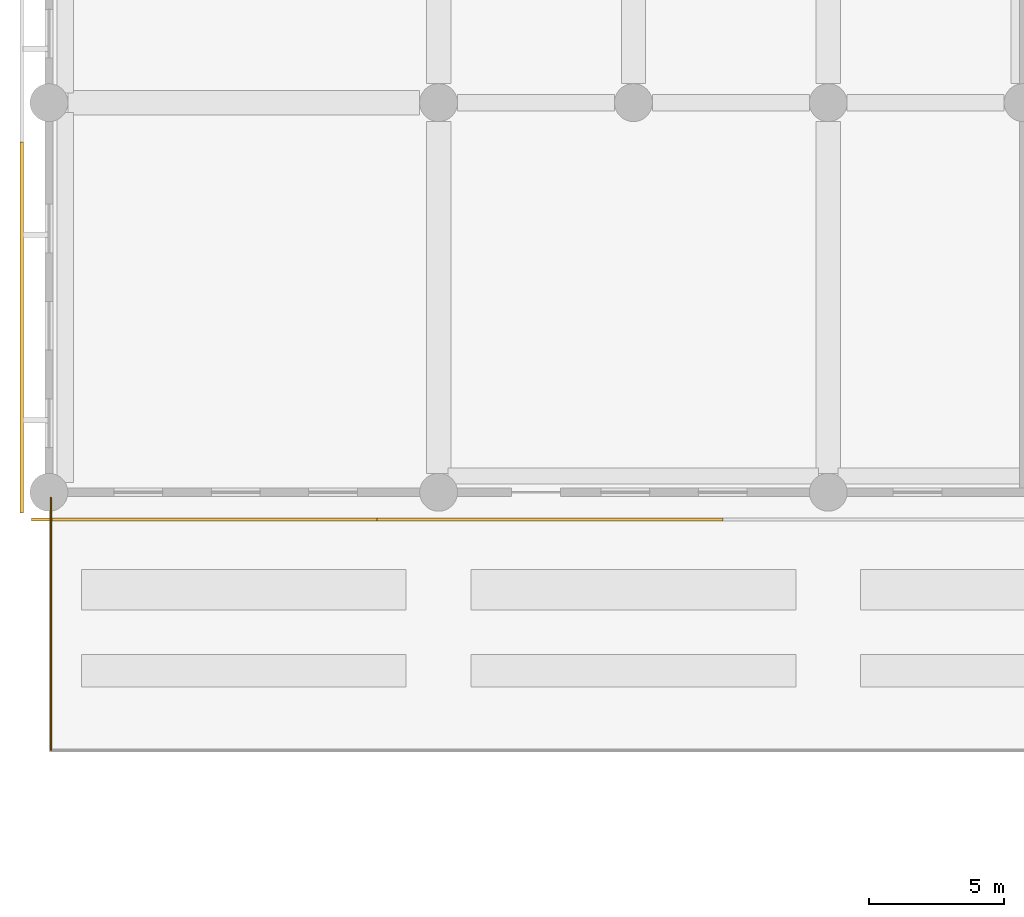
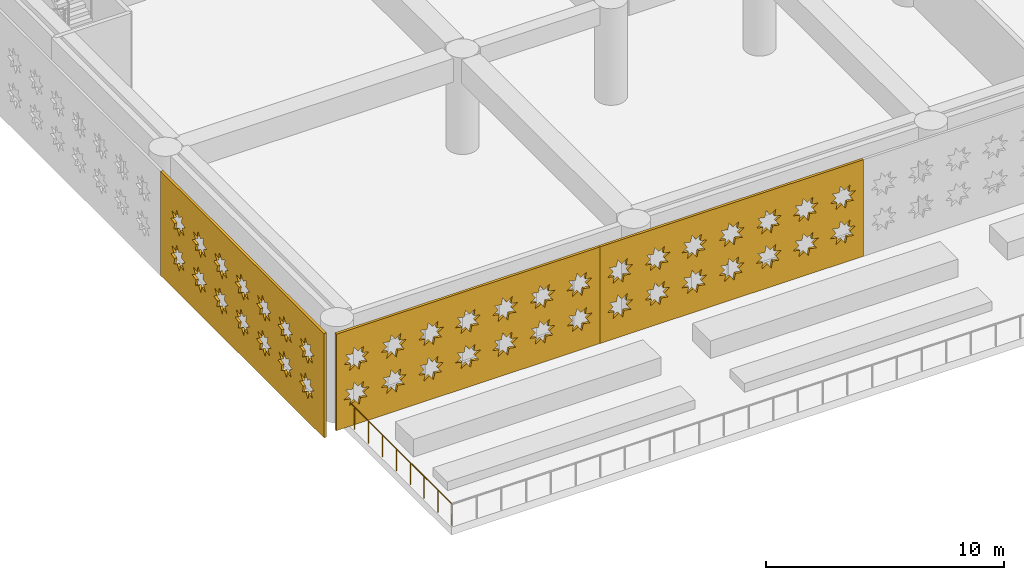
# One storey, part 11 of 24: 3 coverings, 1 railing.
"""IFC4 building model written with IfcOpenShell, lengths in metres."""

from ifc_helpers import new_model, si_unit, direction, frame, origin, origin_2d, place, context, subcontext, project, spatial, polyline, circle, outline, extrude, material, layer, layer_set, type_object, element, save


model = new_model("IFC4")

# Units and contexts
model_context = context("Model", 3, precision=1e-05, world=origin(), true_north=direction((0.0, 1.0)))
body_context = subcontext(model_context, "Body", "Model", "MODEL_VIEW")
ifc_project = project(units=[si_unit("LENGTHUNIT", "METRE"), si_unit("AREAUNIT", "SQUARE_METRE"), si_unit("VOLUMEUNIT", "CUBIC_METRE"), si_unit("PLANEANGLEUNIT", "RADIAN"), si_unit("MASSUNIT", "GRAM", prefix="KILO")], contexts=[model_context])

# Site, building, storey
site_placement = place(None, origin())
site = spatial("IfcSite", under=ifc_project, at=site_placement, CompositionType="ELEMENT")
building_placement = place(site_placement, origin())
building = spatial("IfcBuilding", under=site, at=building_placement, Name="Saffron Iwan Residences", CompositionType="ELEMENT")
storey_placement = place(building_placement, frame((0.0, 0.0, 21.60009765625)))
storey = spatial("IfcBuildingStorey", under=building, at=storey_placement, Name="L04", CompositionType="ELEMENT", Elevation=21.60009765625)

# Coverings
ifc_material_1 = material(Name="Terracotta screen, precast concrete C40/50", Category="masonry")
ifc_layer = layer(ifc_material_1, 0.1201171875)
ifc_layer_set = layer_set([ifc_layer], Name="Terracotta screen, precast concrete C40/50")
covering_type = type_object("IfcCoveringType", Name="PODIUM SCREEN GIRIH", PredefinedType="CLADDING", material=ifc_layer_set)
covering_1_placement = place(storey_placement, frame((-0.64990234375, 18.25, 0.0), z_axis=(0.0, -1.0, 0.0), x_axis=(1.0, 0.0, 0.0)))
element("IfcCovering", 1, at=covering_1_placement, inside=storey, type_object=covering_type, Name="SCREEN girih terracotta L04 F0.0", PredefinedType="CLADDING", context=body_context, shape_type="SweptSolid", body=[
    extrude(outline(polyline([(0.0, 0.0), (12.777587890625, 0.0), (12.777587890625, 4.949951171875), (0.0, 4.949951171875), (0.0, 0.0)]), holes=[polyline([(1.5966796875, 1.696044921875), (1.271484375, 1.763916015625), (1.333251953125, 2.090576171875), (1.05517578125, 1.908447265625), (0.867919921875, 2.18310546875), (0.7998046875, 1.857666015625), (0.47314453125, 1.91943359375), (0.6552734375, 1.641357421875), (0.380615234375, 1.4541015625), (0.7060546875, 1.385986328125), (0.644287109375, 1.0595703125), (0.92236328125, 1.241455078125), (1.109619140625, 0.966796875), (1.177490234375, 1.292236328125), (1.50439453125, 1.23046875), (1.322265625, 1.5087890625), (1.5966796875, 1.696044921875)]), polyline([(1.5966796875, 3.49609375), (1.271484375, 3.56396484375), (1.333251953125, 3.890380859375), (1.05517578125, 3.70849609375), (0.867919921875, 3.983154296875), (0.7998046875, 3.65771484375), (0.47314453125, 3.719482421875), (0.6552734375, 3.44140625), (0.380615234375, 3.25390625), (0.7060546875, 3.18603515625), (0.644287109375, 2.859619140625), (0.92236328125, 3.04150390625), (1.109619140625, 2.766845703125), (1.177490234375, 3.09228515625), (1.50439453125, 3.030517578125), (1.322265625, 3.30859375), (1.5966796875, 3.49609375)]), polyline([(3.396728515625, 1.696044921875), (3.0712890625, 1.763916015625), (3.13330078125, 2.090576171875), (2.85498046875, 1.908447265625), (2.667724609375, 2.18310546875), (2.599853515625, 1.857666015625), (2.273193359375, 1.91943359375), (2.455322265625, 1.641357421875), (2.1806640625, 1.4541015625), (2.506103515625, 1.385986328125), (2.4443359375, 1.0595703125), (2.722412109375, 1.241455078125), (2.90966796875, 0.966796875), (2.9775390625, 1.292236328125), (3.30419921875, 1.23046875), (3.122314453125, 1.5087890625), (3.396728515625, 1.696044921875)]), polyline([(3.396728515625, 3.49609375), (3.0712890625, 3.56396484375), (3.13330078125, 3.890380859375), (2.85498046875, 3.70849609375), (2.667724609375, 3.983154296875), (2.599853515625, 3.65771484375), (2.273193359375, 3.719482421875), (2.455322265625, 3.44140625), (2.1806640625, 3.25390625), (2.506103515625, 3.18603515625), (2.4443359375, 2.859619140625), (2.722412109375, 3.04150390625), (2.90966796875, 2.766845703125), (2.9775390625, 3.09228515625), (3.30419921875, 3.030517578125), (3.122314453125, 3.30859375), (3.396728515625, 3.49609375)]), polyline([(5.19677734375, 1.696044921875), (4.871337890625, 1.763916015625), (4.93310546875, 2.090576171875), (4.655029296875, 1.908447265625), (4.4677734375, 2.18310546875), (4.39990234375, 1.857666015625), (4.0732421875, 1.91943359375), (4.25537109375, 1.641357421875), (3.980712890625, 1.4541015625), (4.30615234375, 1.385986328125), (4.244384765625, 1.0595703125), (4.5224609375, 1.241455078125), (4.709716796875, 0.966796875), (4.777587890625, 1.292236328125), (5.104248046875, 1.23046875), (4.922119140625, 1.5087890625), (5.19677734375, 1.696044921875)]), polyline([(5.19677734375, 3.49609375), (4.871337890625, 3.56396484375), (4.93310546875, 3.890380859375), (4.655029296875, 3.70849609375), (4.4677734375, 3.983154296875), (4.39990234375, 3.65771484375), (4.0732421875, 3.719482421875), (4.25537109375, 3.44140625), (3.980712890625, 3.25390625), (4.30615234375, 3.18603515625), (4.244384765625, 2.859619140625), (4.5224609375, 3.04150390625), (4.709716796875, 2.766845703125), (4.777587890625, 3.09228515625), (5.104248046875, 3.030517578125), (4.922119140625, 3.30859375), (5.19677734375, 3.49609375)]), polyline([(6.996826171875, 1.696044921875), (6.67138671875, 1.763916015625), (6.733154296875, 2.090576171875), (6.455078125, 1.908447265625), (6.267822265625, 2.18310546875), (6.199951171875, 1.857666015625), (5.873291015625, 1.91943359375), (6.055419921875, 1.641357421875), (5.78076171875, 1.4541015625), (6.106201171875, 1.385986328125), (6.044189453125, 1.0595703125), (6.322509765625, 1.241455078125), (6.509765625, 0.966796875), (6.57763671875, 1.292236328125), (6.904296875, 1.23046875), (6.72216796875, 1.5087890625), (6.996826171875, 1.696044921875)]), polyline([(6.996826171875, 3.49609375), (6.67138671875, 3.56396484375), (6.733154296875, 3.890380859375), (6.455078125, 3.70849609375), (6.267822265625, 3.983154296875), (6.199951171875, 3.65771484375), (5.873291015625, 3.719482421875), (6.055419921875, 3.44140625), (5.78076171875, 3.25390625), (6.106201171875, 3.18603515625), (6.044189453125, 2.859619140625), (6.322509765625, 3.04150390625), (6.509765625, 2.766845703125), (6.57763671875, 3.09228515625), (6.904296875, 3.030517578125), (6.72216796875, 3.30859375), (6.996826171875, 3.49609375)]), polyline([(8.796875, 1.696044921875), (8.471435546875, 1.763916015625), (8.533203125, 2.090576171875), (8.255126953125, 1.908447265625), (8.06787109375, 2.18310546875), (8.0, 1.857666015625), (7.673095703125, 1.91943359375), (7.855224609375, 1.641357421875), (7.580810546875, 1.4541015625), (7.906005859375, 1.385986328125), (7.84423828125, 1.0595703125), (8.122314453125, 1.241455078125), (8.309814453125, 0.966796875), (8.377685546875, 1.292236328125), (8.704345703125, 1.23046875), (8.522216796875, 1.5087890625), (8.796875, 1.696044921875)]), polyline([(8.796875, 3.49609375), (8.471435546875, 3.56396484375), (8.533203125, 3.890380859375), (8.255126953125, 3.70849609375), (8.06787109375, 3.983154296875), (8.0, 3.65771484375), (7.673095703125, 3.719482421875), (7.855224609375, 3.44140625), (7.580810546875, 3.25390625), (7.906005859375, 3.18603515625), (7.84423828125, 2.859619140625), (8.122314453125, 3.04150390625), (8.309814453125, 2.766845703125), (8.377685546875, 3.09228515625), (8.704345703125, 3.030517578125), (8.522216796875, 3.30859375), (8.796875, 3.49609375)]), polyline([(10.5966796875, 1.696044921875), (10.271484375, 1.763916015625), (10.333251953125, 2.090576171875), (10.05517578125, 1.908447265625), (9.867919921875, 2.18310546875), (9.7998046875, 1.857666015625), (9.47314453125, 1.91943359375), (9.6552734375, 1.641357421875), (9.380615234375, 1.4541015625), (9.7060546875, 1.385986328125), (9.644287109375, 1.0595703125), (9.92236328125, 1.241455078125), (10.109619140625, 0.966796875), (10.177490234375, 1.292236328125), (10.50439453125, 1.23046875), (10.322265625, 1.5087890625), (10.5966796875, 1.696044921875)]), polyline([(10.5966796875, 3.49609375), (10.271484375, 3.56396484375), (10.333251953125, 3.890380859375), (10.05517578125, 3.70849609375), (9.867919921875, 3.983154296875), (9.7998046875, 3.65771484375), (9.47314453125, 3.719482421875), (9.6552734375, 3.44140625), (9.380615234375, 3.25390625), (9.7060546875, 3.18603515625), (9.644287109375, 2.859619140625), (9.92236328125, 3.04150390625), (10.109619140625, 2.766845703125), (10.177490234375, 3.09228515625), (10.50439453125, 3.030517578125), (10.322265625, 3.30859375), (10.5966796875, 3.49609375)]), polyline([(12.396728515625, 1.696044921875), (12.0712890625, 1.763916015625), (12.13330078125, 2.090576171875), (11.85498046875, 1.908447265625), (11.667724609375, 2.18310546875), (11.599853515625, 1.857666015625), (11.273193359375, 1.91943359375), (11.455322265625, 1.641357421875), (11.1806640625, 1.4541015625), (11.506103515625, 1.385986328125), (11.4443359375, 1.0595703125), (11.722412109375, 1.241455078125), (11.90966796875, 0.966796875), (11.9775390625, 1.292236328125), (12.30419921875, 1.23046875), (12.122314453125, 1.5087890625), (12.396728515625, 1.696044921875)]), polyline([(12.396728515625, 3.49609375), (12.0712890625, 3.56396484375), (12.13330078125, 3.890380859375), (11.85498046875, 3.70849609375), (11.667724609375, 3.983154296875), (11.599853515625, 3.65771484375), (11.273193359375, 3.719482421875), (11.455322265625, 3.44140625), (11.1806640625, 3.25390625), (11.506103515625, 3.18603515625), (11.4443359375, 2.859619140625), (11.722412109375, 3.04150390625), (11.90966796875, 2.766845703125), (11.9775390625, 3.09228515625), (12.30419921875, 3.030517578125), (12.122314453125, 3.30859375), (12.396728515625, 3.49609375)])]), origin(), (0.0, 0.0, 1.0), 0.1201171875),
])
covering_2_placement = place(storey_placement, frame((12.12744140625, 18.25, 0.0), z_axis=(0.0, -1.0, 0.0), x_axis=(1.0, 0.0, 0.0)))
element("IfcCovering", 2, at=covering_2_placement, inside=storey, type_object=covering_type, Name="SCREEN girih terracotta L04 F0.1", PredefinedType="CLADDING", context=body_context, shape_type="SweptSolid", body=[
    extrude(outline(polyline([(0.0, 0.0), (12.777587890625, 0.0), (12.777587890625, 4.949951171875), (0.0, 4.949951171875), (0.0, 0.0)]), holes=[polyline([(1.5966796875, 1.696044921875), (1.271484375, 1.763916015625), (1.333251953125, 2.090576171875), (1.05517578125, 1.908447265625), (0.867919921875, 2.18310546875), (0.7998046875, 1.857666015625), (0.47314453125, 1.91943359375), (0.6552734375, 1.641357421875), (0.380615234375, 1.4541015625), (0.7060546875, 1.385986328125), (0.644287109375, 1.0595703125), (0.92236328125, 1.241455078125), (1.109619140625, 0.966796875), (1.177490234375, 1.292236328125), (1.50439453125, 1.23046875), (1.322265625, 1.5087890625), (1.5966796875, 1.696044921875)]), polyline([(1.5966796875, 3.49609375), (1.271484375, 3.56396484375), (1.333251953125, 3.890380859375), (1.05517578125, 3.70849609375), (0.867919921875, 3.983154296875), (0.7998046875, 3.65771484375), (0.47314453125, 3.719482421875), (0.6552734375, 3.44140625), (0.380615234375, 3.25390625), (0.7060546875, 3.18603515625), (0.644287109375, 2.859619140625), (0.92236328125, 3.04150390625), (1.109619140625, 2.766845703125), (1.177490234375, 3.09228515625), (1.50439453125, 3.030517578125), (1.322265625, 3.30859375), (1.5966796875, 3.49609375)]), polyline([(3.396728515625, 1.696044921875), (3.0712890625, 1.763916015625), (3.13330078125, 2.090576171875), (2.85498046875, 1.908447265625), (2.667724609375, 2.18310546875), (2.599853515625, 1.857666015625), (2.273193359375, 1.91943359375), (2.455322265625, 1.641357421875), (2.1806640625, 1.4541015625), (2.506103515625, 1.385986328125), (2.4443359375, 1.0595703125), (2.722412109375, 1.241455078125), (2.90966796875, 0.966796875), (2.9775390625, 1.292236328125), (3.30419921875, 1.23046875), (3.122314453125, 1.5087890625), (3.396728515625, 1.696044921875)]), polyline([(3.396728515625, 3.49609375), (3.0712890625, 3.56396484375), (3.13330078125, 3.890380859375), (2.85498046875, 3.70849609375), (2.667724609375, 3.983154296875), (2.599853515625, 3.65771484375), (2.273193359375, 3.719482421875), (2.455322265625, 3.44140625), (2.1806640625, 3.25390625), (2.506103515625, 3.18603515625), (2.4443359375, 2.859619140625), (2.722412109375, 3.04150390625), (2.90966796875, 2.766845703125), (2.9775390625, 3.09228515625), (3.30419921875, 3.030517578125), (3.122314453125, 3.30859375), (3.396728515625, 3.49609375)]), polyline([(5.19677734375, 1.696044921875), (4.871337890625, 1.763916015625), (4.93310546875, 2.090576171875), (4.655029296875, 1.908447265625), (4.4677734375, 2.18310546875), (4.39990234375, 1.857666015625), (4.0732421875, 1.91943359375), (4.25537109375, 1.641357421875), (3.980712890625, 1.4541015625), (4.30615234375, 1.385986328125), (4.244384765625, 1.0595703125), (4.5224609375, 1.241455078125), (4.709716796875, 0.966796875), (4.777587890625, 1.292236328125), (5.104248046875, 1.23046875), (4.922119140625, 1.5087890625), (5.19677734375, 1.696044921875)]), polyline([(5.19677734375, 3.49609375), (4.871337890625, 3.56396484375), (4.93310546875, 3.890380859375), (4.655029296875, 3.70849609375), (4.4677734375, 3.983154296875), (4.39990234375, 3.65771484375), (4.0732421875, 3.719482421875), (4.25537109375, 3.44140625), (3.980712890625, 3.25390625), (4.30615234375, 3.18603515625), (4.244384765625, 2.859619140625), (4.5224609375, 3.04150390625), (4.709716796875, 2.766845703125), (4.777587890625, 3.09228515625), (5.104248046875, 3.030517578125), (4.922119140625, 3.30859375), (5.19677734375, 3.49609375)]), polyline([(6.996826171875, 1.696044921875), (6.67138671875, 1.763916015625), (6.733154296875, 2.090576171875), (6.455078125, 1.908447265625), (6.267822265625, 2.18310546875), (6.199951171875, 1.857666015625), (5.873291015625, 1.91943359375), (6.055419921875, 1.641357421875), (5.78076171875, 1.4541015625), (6.106201171875, 1.385986328125), (6.044189453125, 1.0595703125), (6.322509765625, 1.241455078125), (6.509765625, 0.966796875), (6.57763671875, 1.292236328125), (6.904296875, 1.23046875), (6.72216796875, 1.5087890625), (6.996826171875, 1.696044921875)]), polyline([(6.996826171875, 3.49609375), (6.67138671875, 3.56396484375), (6.733154296875, 3.890380859375), (6.455078125, 3.70849609375), (6.267822265625, 3.983154296875), (6.199951171875, 3.65771484375), (5.873291015625, 3.719482421875), (6.055419921875, 3.44140625), (5.78076171875, 3.25390625), (6.106201171875, 3.18603515625), (6.044189453125, 2.859619140625), (6.322509765625, 3.04150390625), (6.509765625, 2.766845703125), (6.57763671875, 3.09228515625), (6.904296875, 3.030517578125), (6.72216796875, 3.30859375), (6.996826171875, 3.49609375)]), polyline([(8.796875, 1.696044921875), (8.471435546875, 1.763916015625), (8.533203125, 2.090576171875), (8.255126953125, 1.908447265625), (8.06787109375, 2.18310546875), (8.0, 1.857666015625), (7.673095703125, 1.91943359375), (7.855224609375, 1.641357421875), (7.580810546875, 1.4541015625), (7.906005859375, 1.385986328125), (7.84423828125, 1.0595703125), (8.122314453125, 1.241455078125), (8.309814453125, 0.966796875), (8.377685546875, 1.292236328125), (8.704345703125, 1.23046875), (8.522216796875, 1.5087890625), (8.796875, 1.696044921875)]), polyline([(8.796875, 3.49609375), (8.471435546875, 3.56396484375), (8.533203125, 3.890380859375), (8.255126953125, 3.70849609375), (8.06787109375, 3.983154296875), (8.0, 3.65771484375), (7.673095703125, 3.719482421875), (7.855224609375, 3.44140625), (7.580810546875, 3.25390625), (7.906005859375, 3.18603515625), (7.84423828125, 2.859619140625), (8.122314453125, 3.04150390625), (8.309814453125, 2.766845703125), (8.377685546875, 3.09228515625), (8.704345703125, 3.030517578125), (8.522216796875, 3.30859375), (8.796875, 3.49609375)]), polyline([(10.5966796875, 1.696044921875), (10.271484375, 1.763916015625), (10.333251953125, 2.090576171875), (10.05517578125, 1.908447265625), (9.867919921875, 2.18310546875), (9.7998046875, 1.857666015625), (9.47314453125, 1.91943359375), (9.6552734375, 1.641357421875), (9.380615234375, 1.4541015625), (9.7060546875, 1.385986328125), (9.644287109375, 1.0595703125), (9.92236328125, 1.241455078125), (10.109619140625, 0.966796875), (10.177490234375, 1.292236328125), (10.50439453125, 1.23046875), (10.322265625, 1.5087890625), (10.5966796875, 1.696044921875)]), polyline([(10.5966796875, 3.49609375), (10.271484375, 3.56396484375), (10.333251953125, 3.890380859375), (10.05517578125, 3.70849609375), (9.867919921875, 3.983154296875), (9.7998046875, 3.65771484375), (9.47314453125, 3.719482421875), (9.6552734375, 3.44140625), (9.380615234375, 3.25390625), (9.7060546875, 3.18603515625), (9.644287109375, 2.859619140625), (9.92236328125, 3.04150390625), (10.109619140625, 2.766845703125), (10.177490234375, 3.09228515625), (10.50439453125, 3.030517578125), (10.322265625, 3.30859375), (10.5966796875, 3.49609375)]), polyline([(12.396728515625, 1.696044921875), (12.0712890625, 1.763916015625), (12.13330078125, 2.090576171875), (11.85498046875, 1.908447265625), (11.667724609375, 2.18310546875), (11.599853515625, 1.857666015625), (11.273193359375, 1.91943359375), (11.455322265625, 1.641357421875), (11.1806640625, 1.4541015625), (11.506103515625, 1.385986328125), (11.4443359375, 1.0595703125), (11.722412109375, 1.241455078125), (11.90966796875, 0.966796875), (11.9775390625, 1.292236328125), (12.30419921875, 1.23046875), (12.122314453125, 1.5087890625), (12.396728515625, 1.696044921875)]), polyline([(12.396728515625, 3.49609375), (12.0712890625, 3.56396484375), (12.13330078125, 3.890380859375), (11.85498046875, 3.70849609375), (11.667724609375, 3.983154296875), (11.599853515625, 3.65771484375), (11.273193359375, 3.719482421875), (11.455322265625, 3.44140625), (11.1806640625, 3.25390625), (11.506103515625, 3.18603515625), (11.4443359375, 2.859619140625), (11.722412109375, 3.04150390625), (11.90966796875, 2.766845703125), (11.9775390625, 3.09228515625), (12.30419921875, 3.030517578125), (12.122314453125, 3.30859375), (12.396728515625, 3.49609375)])]), origin(), (0.0, 0.0, 1.0), 0.1201171875),
])
covering_3_placement = place(storey_placement, frame((-0.949951171875, 32.154052734375, -0.400146484375), z_axis=(-1.0, 0.0, 0.0), x_axis=(0.0, -1.0, 0.0)))
element("IfcCovering", 3, at=covering_3_placement, inside=storey, type_object=covering_type, Name="SCREEN girih terracotta L04 F3.4", PredefinedType="CLADDING", context=body_context, shape_type="SweptSolid", body=[
    extrude(outline(polyline([(0.0, 0.0), (13.72412109375, 0.0), (13.72412109375, 5.35009765625), (0.0, 5.35009765625), (0.0, 0.0)]), holes=[polyline([(2.070068359375, 1.89599609375), (1.74462890625, 1.9638671875), (1.806396484375, 2.29052734375), (1.5283203125, 2.1083984375), (1.341064453125, 2.383056640625), (1.273193359375, 2.0576171875), (0.946533203125, 2.119384765625), (1.12841796875, 1.84130859375), (0.85400390625, 1.654052734375), (1.17919921875, 1.586181640625), (1.117431640625, 1.259521484375), (1.395751953125, 1.44140625), (1.5830078125, 1.1669921875), (1.65087890625, 1.4921875), (1.9775390625, 1.430419921875), (1.79541015625, 1.708740234375), (2.070068359375, 1.89599609375)]), polyline([(2.070068359375, 3.696044921875), (1.74462890625, 3.763916015625), (1.806396484375, 4.090576171875), (1.5283203125, 3.908447265625), (1.341064453125, 4.18310546875), (1.273193359375, 3.857666015625), (0.946533203125, 3.91943359375), (1.12841796875, 3.641357421875), (0.85400390625, 3.4541015625), (1.17919921875, 3.385986328125), (1.117431640625, 3.0595703125), (1.395751953125, 3.241455078125), (1.5830078125, 2.966796875), (1.65087890625, 3.292236328125), (1.9775390625, 3.23046875), (1.79541015625, 3.5087890625), (2.070068359375, 3.696044921875)]), polyline([(3.8701171875, 1.89599609375), (3.544677734375, 1.9638671875), (3.6064453125, 2.29052734375), (3.328369140625, 2.1083984375), (3.14111328125, 2.383056640625), (3.072998046875, 2.0576171875), (2.74658203125, 2.119384765625), (2.928466796875, 1.84130859375), (2.65380859375, 1.654052734375), (2.979248046875, 1.586181640625), (2.91748046875, 1.259521484375), (3.19580078125, 1.44140625), (3.383056640625, 1.1669921875), (3.450927734375, 1.4921875), (3.777587890625, 1.430419921875), (3.595458984375, 1.708740234375), (3.8701171875, 1.89599609375)]), polyline([(3.8701171875, 3.696044921875), (3.544677734375, 3.763916015625), (3.6064453125, 4.090576171875), (3.328369140625, 3.908447265625), (3.14111328125, 4.18310546875), (3.072998046875, 3.857666015625), (2.74658203125, 3.91943359375), (2.928466796875, 3.641357421875), (2.65380859375, 3.4541015625), (2.979248046875, 3.385986328125), (2.91748046875, 3.0595703125), (3.19580078125, 3.241455078125), (3.383056640625, 2.966796875), (3.450927734375, 3.292236328125), (3.777587890625, 3.23046875), (3.595458984375, 3.5087890625), (3.8701171875, 3.696044921875)]), polyline([(5.670166015625, 1.89599609375), (5.3447265625, 1.9638671875), (5.406494140625, 2.29052734375), (5.12841796875, 2.1083984375), (4.94091796875, 2.383056640625), (4.873046875, 2.0576171875), (4.54638671875, 2.119384765625), (4.728515625, 1.84130859375), (4.453857421875, 1.654052734375), (4.779296875, 1.586181640625), (4.717529296875, 1.259521484375), (4.99560546875, 1.44140625), (5.18310546875, 1.1669921875), (5.2509765625, 1.4921875), (5.577392578125, 1.430419921875), (5.3955078125, 1.708740234375), (5.670166015625, 1.89599609375)]), polyline([(5.670166015625, 3.696044921875), (5.3447265625, 3.763916015625), (5.406494140625, 4.090576171875), (5.12841796875, 3.908447265625), (4.94091796875, 4.18310546875), (4.873046875, 3.857666015625), (4.54638671875, 3.91943359375), (4.728515625, 3.641357421875), (4.453857421875, 3.4541015625), (4.779296875, 3.385986328125), (4.717529296875, 3.0595703125), (4.99560546875, 3.241455078125), (5.18310546875, 2.966796875), (5.2509765625, 3.292236328125), (5.577392578125, 3.23046875), (5.3955078125, 3.5087890625), (5.670166015625, 3.696044921875)]), polyline([(7.47021484375, 1.89599609375), (7.144775390625, 1.9638671875), (7.20654296875, 2.29052734375), (6.92822265625, 2.1083984375), (6.740966796875, 2.383056640625), (6.673095703125, 2.0576171875), (6.346435546875, 2.119384765625), (6.528564453125, 1.84130859375), (6.25390625, 1.654052734375), (6.579345703125, 1.586181640625), (6.517578125, 1.259521484375), (6.795654296875, 1.44140625), (6.98291015625, 1.1669921875), (7.05078125, 1.4921875), (7.37744140625, 1.430419921875), (7.195556640625, 1.708740234375), (7.47021484375, 1.89599609375)]), polyline([(7.47021484375, 3.696044921875), (7.144775390625, 3.763916015625), (7.20654296875, 4.090576171875), (6.92822265625, 3.908447265625), (6.740966796875, 4.18310546875), (6.673095703125, 3.857666015625), (6.346435546875, 3.91943359375), (6.528564453125, 3.641357421875), (6.25390625, 3.4541015625), (6.579345703125, 3.385986328125), (6.517578125, 3.0595703125), (6.795654296875, 3.241455078125), (6.98291015625, 2.966796875), (7.05078125, 3.292236328125), (7.37744140625, 3.23046875), (7.195556640625, 3.5087890625), (7.47021484375, 3.696044921875)]), polyline([(9.27001953125, 1.89599609375), (8.944580078125, 1.9638671875), (9.006591796875, 2.29052734375), (8.728271484375, 2.1083984375), (8.541015625, 2.383056640625), (8.47314453125, 2.0576171875), (8.146484375, 2.119384765625), (8.32861328125, 1.84130859375), (8.053955078125, 1.654052734375), (8.37939453125, 1.586181640625), (8.3173828125, 1.259521484375), (8.595703125, 1.44140625), (8.782958984375, 1.1669921875), (8.850830078125, 1.4921875), (9.177490234375, 1.430419921875), (8.99560546875, 1.708740234375), (9.27001953125, 1.89599609375)]), polyline([(9.27001953125, 3.696044921875), (8.944580078125, 3.763916015625), (9.006591796875, 4.090576171875), (8.728271484375, 3.908447265625), (8.541015625, 4.18310546875), (8.47314453125, 3.857666015625), (8.146484375, 3.91943359375), (8.32861328125, 3.641357421875), (8.053955078125, 3.4541015625), (8.37939453125, 3.385986328125), (8.3173828125, 3.0595703125), (8.595703125, 3.241455078125), (8.782958984375, 2.966796875), (8.850830078125, 3.292236328125), (9.177490234375, 3.23046875), (8.99560546875, 3.5087890625), (9.27001953125, 3.696044921875)]), polyline([(11.070068359375, 1.89599609375), (10.74462890625, 1.9638671875), (10.806396484375, 2.29052734375), (10.5283203125, 2.1083984375), (10.341064453125, 2.383056640625), (10.273193359375, 2.0576171875), (9.946533203125, 2.119384765625), (10.12841796875, 1.84130859375), (9.85400390625, 1.654052734375), (10.17919921875, 1.586181640625), (10.117431640625, 1.259521484375), (10.395751953125, 1.44140625), (10.5830078125, 1.1669921875), (10.65087890625, 1.4921875), (10.9775390625, 1.430419921875), (10.79541015625, 1.708740234375), (11.070068359375, 1.89599609375)]), polyline([(11.070068359375, 3.696044921875), (10.74462890625, 3.763916015625), (10.806396484375, 4.090576171875), (10.5283203125, 3.908447265625), (10.341064453125, 4.18310546875), (10.273193359375, 3.857666015625), (9.946533203125, 3.91943359375), (10.12841796875, 3.641357421875), (9.85400390625, 3.4541015625), (10.17919921875, 3.385986328125), (10.117431640625, 3.0595703125), (10.395751953125, 3.241455078125), (10.5830078125, 2.966796875), (10.65087890625, 3.292236328125), (10.9775390625, 3.23046875), (10.79541015625, 3.5087890625), (11.070068359375, 3.696044921875)]), polyline([(12.8701171875, 1.89599609375), (12.544677734375, 1.9638671875), (12.6064453125, 2.29052734375), (12.328369140625, 2.1083984375), (12.14111328125, 2.383056640625), (12.072998046875, 2.0576171875), (11.74658203125, 2.119384765625), (11.928466796875, 1.84130859375), (11.65380859375, 1.654052734375), (11.979248046875, 1.586181640625), (11.91748046875, 1.259521484375), (12.19580078125, 1.44140625), (12.383056640625, 1.1669921875), (12.450927734375, 1.4921875), (12.777587890625, 1.430419921875), (12.595458984375, 1.708740234375), (12.8701171875, 1.89599609375)]), polyline([(12.8701171875, 3.696044921875), (12.544677734375, 3.763916015625), (12.6064453125, 4.090576171875), (12.328369140625, 3.908447265625), (12.14111328125, 4.18310546875), (12.072998046875, 3.857666015625), (11.74658203125, 3.91943359375), (11.928466796875, 3.641357421875), (11.65380859375, 3.4541015625), (11.979248046875, 3.385986328125), (11.91748046875, 3.0595703125), (12.19580078125, 3.241455078125), (12.383056640625, 2.966796875), (12.450927734375, 3.292236328125), (12.777587890625, 3.23046875), (12.595458984375, 3.5087890625), (12.8701171875, 3.696044921875)])]), origin(), (0.0, 0.0, 1.0), 0.1201171875),
])

# Railing
ifc_material_2 = material(Name="Stainless steel 316", Category="steel")
railing_type = type_object("IfcRailingType", Name="TERRACE GUARD 1150", PredefinedType="BALUSTRADE", material=ifc_material_2)
railing_placement = place(storey_placement, frame((0.074951171875, 9.675048828125, 0.0)))
element("IfcRailing", 4, at=railing_placement, inside=storey, type_object=railing_type, Name="Terrace guard L04 1", PredefinedType="BALUSTRADE", context=body_context, shape_type="SweptSolid", body=[
    extrude(circle(Radius=0.02392578125, at=origin_2d()), frame((0.0, 0.0, 1.1259765625), z_axis=(0.0, 1.0, 0.0), x_axis=(-1.0, 0.0, 0.0)), (0.0, 0.0, 1.0), 9.324951171875),
    extrude(circle(Radius=0.02099609375, at=origin_2d()), origin(), (0.0, 0.0, 1.0), 1.101806640625),
    extrude(circle(Radius=0.02099609375, at=origin_2d()), frame((0.0, 1.16552734375, 0.0)), (0.0, 0.0, 1.0), 1.101806640625),
    extrude(circle(Radius=0.02099609375, at=origin_2d()), frame((0.0, 2.331298828125, 0.0)), (0.0, 0.0, 1.0), 1.101806640625),
    extrude(circle(Radius=0.02099609375, at=origin_2d()), frame((0.0, 3.496826171875, 0.0)), (0.0, 0.0, 1.0), 1.101806640625),
    extrude(circle(Radius=0.02099609375, at=origin_2d()), frame((0.0, 4.66259765625, 0.0)), (0.0, 0.0, 1.0), 1.101806640625),
    extrude(circle(Radius=0.02099609375, at=origin_2d()), frame((0.0, 5.828125, 0.0)), (0.0, 0.0, 1.0), 1.101806640625),
    extrude(circle(Radius=0.02099609375, at=origin_2d()), frame((0.0, 6.99365234375, 0.0)), (0.0, 0.0, 1.0), 1.101806640625),
    extrude(circle(Radius=0.02099609375, at=origin_2d()), frame((0.0, 8.159423828125, 0.0)), (0.0, 0.0, 1.0), 1.101806640625),
    extrude(circle(Radius=0.02099609375, at=origin_2d()), frame((0.0, 9.324951171875, 0.0)), (0.0, 0.0, 1.0), 1.101806640625),
])

save(model, "model.ifc")
